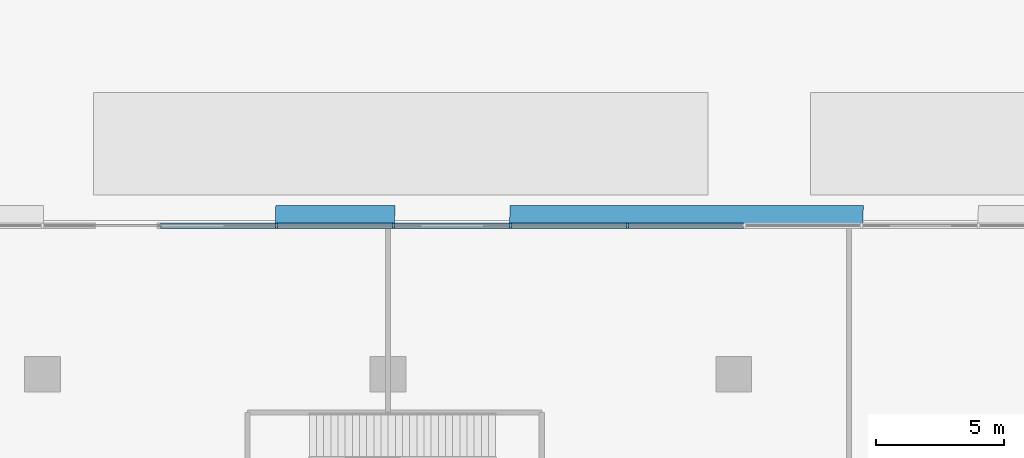
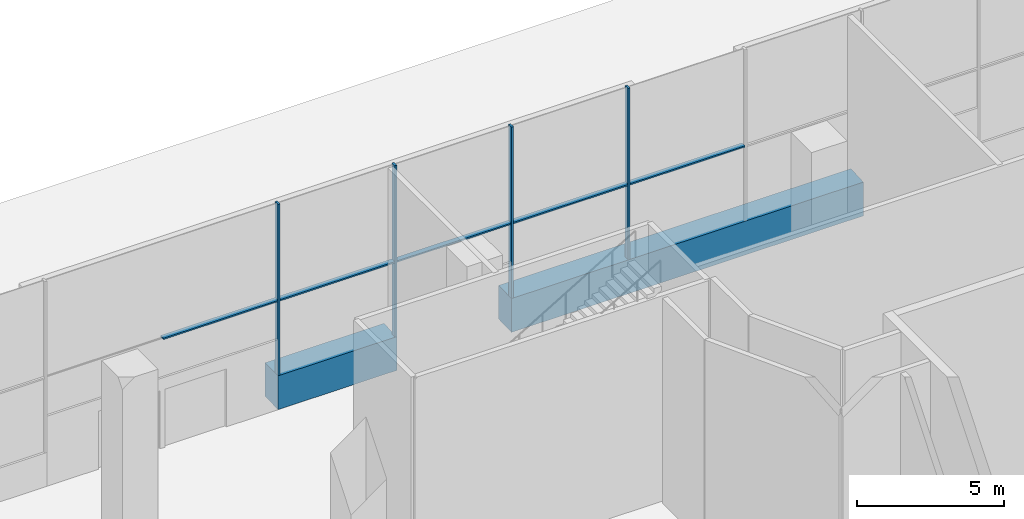
# One storey, part 10 of 54: 11 members, 1 element without a shape of its own.
"""IFC4 building model written with IfcOpenShell, lengths in metres."""

from ifc_helpers import new_model, si_unit, direction, frame, origin, origin_2d, place, context, subcontext, project, spatial, polyline, rectangle, outline, extrude, material, layer, layer_set, material_profile, profile_set, type_object, element, aggregate, save


model = new_model("IFC4")

# Units and contexts
model_context = context("Model", 3, precision=1e-05, world=origin(), true_north=direction((0.0, 1.0)))
body_context = subcontext(model_context, "Body", "Model", "MODEL_VIEW")
ifc_project = project(units=[si_unit("LENGTHUNIT", "METRE"), si_unit("AREAUNIT", "SQUARE_METRE"), si_unit("VOLUMEUNIT", "CUBIC_METRE"), si_unit("PLANEANGLEUNIT", "RADIAN"), si_unit("MASSUNIT", "GRAM", prefix="KILO")], contexts=[model_context])

# Site, building, storey
site_placement = place(None, origin())
site = spatial("IfcSite", under=ifc_project, at=site_placement, CompositionType="ELEMENT")
building_placement = place(site_placement, origin())
building = spatial("IfcBuilding", under=site, at=building_placement, Name="Tamarind Cross Interchange Tower", CompositionType="ELEMENT")
storey_placement = place(building_placement, origin())
storey = spatial("IfcBuildingStorey", under=building, at=storey_placement, Name="L00", CompositionType="ELEMENT", Elevation=0.0)

# Curtain wall, members
ifc_material_1 = material(Name="Aluminium 6063-T6", Category="aluminium")
ifc_layer = layer(ifc_material_1, 0.199951171875)
ifc_layer_set = layer_set([ifc_layer], Name="Aluminium 6063-T6")
curtain_wall_type = type_object("IfcCurtainWallType", Name="Podium shopfront and station curtain wall", PredefinedType="NOTDEFINED", material=ifc_layer_set)
curtain_wall_placement = place(storey_placement, origin())
curtain_wall = element("IfcCurtainWall", 1, at=curtain_wall_placement, inside=storey, type_object=curtain_wall_type, Name="CWS-L00-02", PredefinedType="NOTDEFINED")
ifc_material_2 = material(Name="Aluminium and insulated spandrel panel", Category="aluminium")
member_type_1 = type_object("IfcMemberType", Name="Floor-edge blade transom", PredefinedType="USERDEFINED", material=ifc_material_2)
member_1_placement = place(storey_placement, origin())
member_1 = element("IfcMember", 2, at=member_1_placement, type_object=member_type_1, Name="CWT-L00-02-2", ObjectType="TRANSOM", PredefinedType="USERDEFINED", context=body_context, shape_type="SweptSolid", body=[
    extrude(outline(polyline([(32.028076171875, 59.699951171875), (18.239013671875, 59.699951171875), (18.25927734375, 60.60009765625), (32.063720703125, 60.60009765625), (32.028076171875, 59.699951171875)])), origin(), (0.0, 0.0, 1.0), 1.39990234375),
])
member_2_placement = place(storey_placement, origin())
member_2 = element("IfcMember", 3, at=member_2_placement, type_object=member_type_1, Name="CWT-L00-02-3", ObjectType="TRANSOM", PredefinedType="USERDEFINED", context=body_context, shape_type="SweptSolid", body=[
    extrude(outline(polyline([(13.749267578125, 59.699951171875), (9.099609375, 59.699951171875), (9.109619140625, 60.60009765625), (13.764404296875, 60.60009765625), (13.749267578125, 59.699951171875)])), origin(), (0.0, 0.0, 1.0), 1.39990234375),
])
ifc_material_profile = material_profile(ifc_material_1, rectangle(XDim=0.080078125, YDim=0.199951171875, at=origin_2d()), Name="Mullion CW3")
ifc_profile_set = profile_set([ifc_material_profile], Name="Aluminium 6063-T6")
member_type_2 = type_object("IfcMemberType", Name="Mullion CW3", PredefinedType="MULLION", material=ifc_profile_set)
member_3_placement = place(storey_placement, frame((22.8515625, 59.800048828125, 1.39990234375), z_axis=(0.0, 0.0, 1.0), x_axis=(-1.0, 0.0, 0.0)))
member_3 = element("IfcMember", 4, at=member_3_placement, type_object=member_type_2, Name="CWM-L00-02-09", PredefinedType="MULLION", context=body_context, shape_type="SweptSolid", body=[
    extrude(rectangle(XDim=0.080078125, YDim=0.199951171875, at=origin_2d()), origin(), (0.0, 0.0, 1.0), 7.10009765625),
])
member_4_placement = place(storey_placement, frame((18.28125, 59.800048828125, 1.39990234375), z_axis=(0.0, 0.0, 1.0), x_axis=(-1.0, 0.0, 0.0)))
member_4 = element("IfcMember", 5, at=member_4_placement, type_object=member_type_2, Name="CWM-L00-02-10", PredefinedType="MULLION", context=body_context, shape_type="SweptSolid", body=[
    extrude(rectangle(XDim=0.080078125, YDim=0.199951171875, at=origin_2d()), origin(), (0.0, 0.0, 1.0), 7.10009765625),
])
member_5_placement = place(storey_placement, frame((13.7109375, 59.800048828125, 1.39990234375), z_axis=(0.0, 0.0, 1.0), x_axis=(-1.0, 0.0, 0.0)))
member_5 = element("IfcMember", 6, at=member_5_placement, type_object=member_type_2, Name="CWM-L00-02-11", PredefinedType="MULLION", context=body_context, shape_type="SweptSolid", body=[
    extrude(rectangle(XDim=0.080078125, YDim=0.199951171875, at=origin_2d()), origin(), (0.0, 0.0, 1.0), 7.10009765625),
])
member_6_placement = place(storey_placement, frame((9.140625, 59.800048828125, 1.39990234375), z_axis=(0.0, 0.0, 1.0), x_axis=(-1.0, 0.0, 0.0)))
member_6 = element("IfcMember", 7, at=member_6_placement, type_object=member_type_2, Name="CWM-L00-02-12", PredefinedType="MULLION", context=body_context, shape_type="SweptSolid", body=[
    extrude(rectangle(XDim=0.080078125, YDim=0.199951171875, at=origin_2d()), origin(), (0.0, 0.0, 1.0), 7.10009765625),
])
member_type_3 = type_object("IfcMemberType", Name="Podium intermediate transom", PredefinedType="USERDEFINED", material=ifc_material_1)
member_7_placement = place(storey_placement, frame((0.0, 0.0, 4.469970703125)))
member_7 = element("IfcMember", 8, at=member_7_placement, type_object=member_type_3, Name="CWT-L00-02-I0-08", ObjectType="TRANSOM", PredefinedType="USERDEFINED", context=body_context, shape_type="SweptSolid", body=[
    extrude(outline(polyline([(27.3818359375, 59.699951171875), (22.8916015625, 59.699951171875), (22.8916015625, 59.89990234375), (27.3818359375, 59.89990234375), (27.3818359375, 59.699951171875)])), origin(), (0.0, 0.0, 1.0), 0.06005859375),
])
member_8_placement = place(storey_placement, frame((0.0, 0.0, 4.469970703125)))
member_8 = element("IfcMember", 9, at=member_8_placement, type_object=member_type_3, Name="CWT-L00-02-I0-09", ObjectType="TRANSOM", PredefinedType="USERDEFINED", context=body_context, shape_type="SweptSolid", body=[
    extrude(outline(polyline([(22.8115234375, 59.699951171875), (18.3212890625, 59.699951171875), (18.3212890625, 59.89990234375), (22.8115234375, 59.89990234375), (22.8115234375, 59.699951171875)])), origin(), (0.0, 0.0, 1.0), 0.06005859375),
])
member_9_placement = place(storey_placement, frame((0.0, 0.0, 4.469970703125)))
member_9 = element("IfcMember", 10, at=member_9_placement, type_object=member_type_3, Name="CWT-L00-02-I0-10", ObjectType="TRANSOM", PredefinedType="USERDEFINED", context=body_context, shape_type="SweptSolid", body=[
    extrude(outline(polyline([(18.2412109375, 59.699951171875), (13.7509765625, 59.699951171875), (13.7509765625, 59.89990234375), (18.2412109375, 59.89990234375), (18.2412109375, 59.699951171875)])), origin(), (0.0, 0.0, 1.0), 0.06005859375),
])
member_10_placement = place(storey_placement, frame((0.0, 0.0, 4.469970703125)))
member_10 = element("IfcMember", 11, at=member_10_placement, type_object=member_type_3, Name="CWT-L00-02-I0-11", ObjectType="TRANSOM", PredefinedType="USERDEFINED", context=body_context, shape_type="SweptSolid", body=[
    extrude(outline(polyline([(13.6708984375, 59.699951171875), (9.1806640625, 59.699951171875), (9.1806640625, 59.89990234375), (13.6708984375, 59.89990234375), (13.6708984375, 59.699951171875)])), origin(), (0.0, 0.0, 1.0), 0.06005859375),
])
member_11_placement = place(storey_placement, frame((0.0, 0.0, 4.469970703125)))
member_11 = element("IfcMember", 12, at=member_11_placement, type_object=member_type_3, Name="CWT-L00-02-I0-12", ObjectType="TRANSOM", PredefinedType="USERDEFINED", context=body_context, shape_type="SweptSolid", body=[
    extrude(outline(polyline([(9.1005859375, 59.699951171875), (4.6103515625, 59.699951171875), (4.6103515625, 59.89990234375), (9.1005859375, 59.89990234375), (9.1005859375, 59.699951171875)])), origin(), (0.0, 0.0, 1.0), 0.06005859375),
])
aggregate(curtain_wall, [member_3, member_4, member_5, member_6, member_7, member_8, member_9, member_10, member_11, member_1, member_2])

save(model, "model.ifc")
